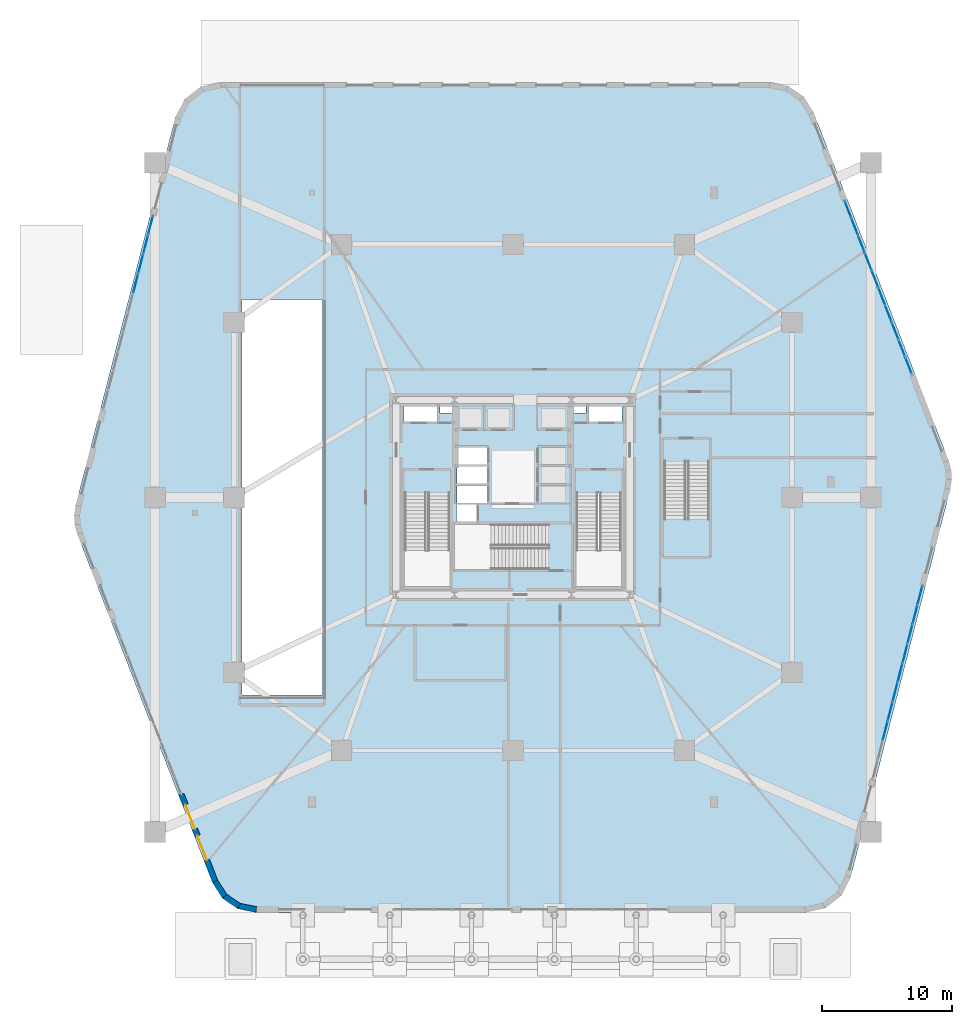
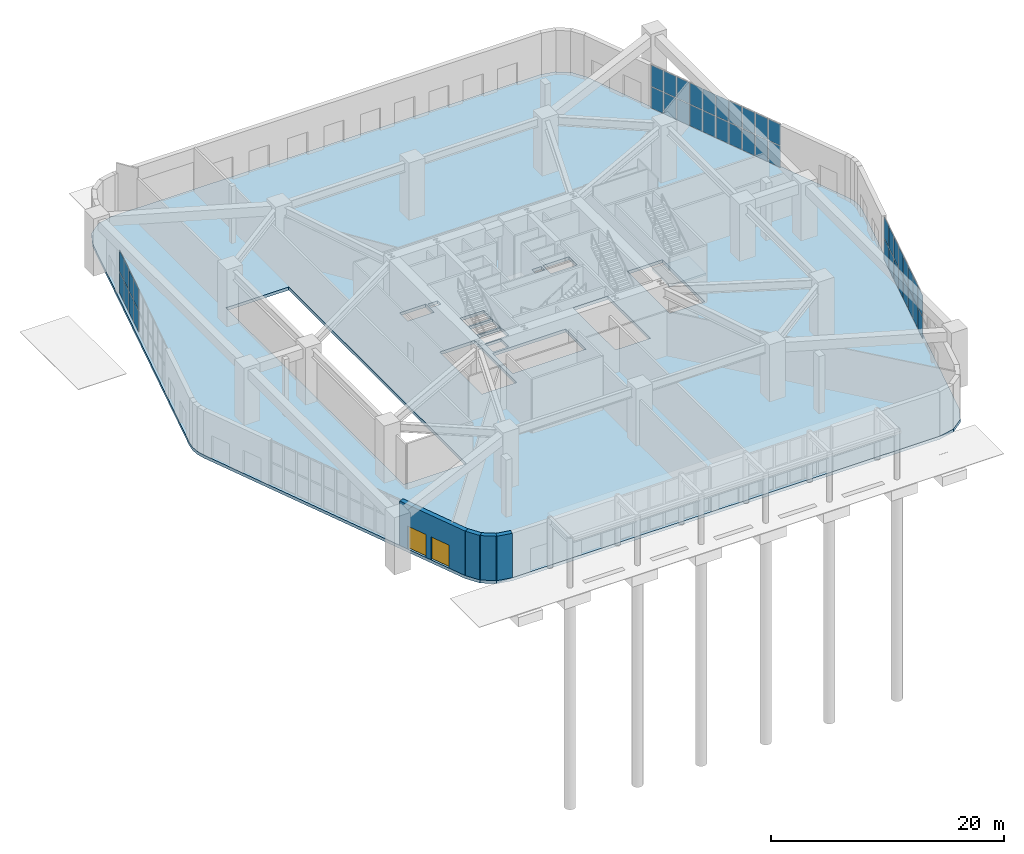
# One storey, part 23 of 35: 44 plates, 4 walls, 2 doors, 2 slabs, 2 openings, 4 elements without a shape of their own.
"""IFC4 building model written with IfcOpenShell, lengths in metres."""

import ifcopenshell
import ifcopenshell.guid

model = None  # the IFC model being written
_history = None  # IfcOwnerHistory: only IFC2X3 demands one
_inside = {}  # id of a spatial element -> (the spatial element, [elements in it])
_under = {}  # id of a project, library or spatial element -> (it, [spatial elements below it])
_declared = {}  # id of a project -> (the project, [libraries it declares])
_typed = {}  # id of a type object -> (the type object, [elements of that type])
_made_of = {}  # id of a material, layer set ... -> (it, [elements and type objects made of it])


def new_model(schema):
    """Start an empty IFC model of exactly this schema.

    Asked for "IFC4X3", IfcOpenShell would pick the latest addendum, in which some entities
    have other attributes; the version numbers below select the first issue.
    IFC2X3 requires an IfcOwnerHistory on every rooted entity: one is made here for all.
    """
    global model, _history
    if schema == "IFC4X3":
        model = ifcopenshell.file(schema_version=(4, 3, 0, 0))
    else:
        model = ifcopenshell.file(schema=schema)
    _inside.clear()
    _under.clear()
    _declared.clear()
    _typed.clear()
    _made_of.clear()
    _history = None
    if model.schema == "IFC2X3":
        org = make("IfcOrganization", Name="unknown")
        user = make(
            "IfcPersonAndOrganization",
            ThePerson=make("IfcPerson", FamilyName="unknown"),
            TheOrganization=org,
        )
        app = make(
            "IfcApplication",
            ApplicationDeveloper=org,
            Version="unknown",
            ApplicationFullName="unknown",
            ApplicationIdentifier="unknown",
        )
        _history = make(
            "IfcOwnerHistory",
            OwningUser=user,
            OwningApplication=app,
            ChangeAction="ADDED",
            CreationDate=0,
        )
    return model


def make(cls, **values):
    """One entity of the class cls with the attributes given. An attribute that is None is left unset."""
    return model.create_entity(
        cls, **{name: value for name, value in values.items() if value is not None}
    )


def rooted(cls, **values):
    """An entity with a GlobalId (a new one), such as an element, a storey or a relation."""
    return make(cls, GlobalId=ifcopenshell.guid.new(), OwnerHistory=_history, **values)


def si_unit(unit_type, name, prefix=None):
    """IfcSIUnit, for example si_unit("LENGTHUNIT", "METRE", prefix="MILLI")."""
    return make("IfcSIUnit", UnitType=unit_type, Prefix=prefix, Name=name)


def assignment(units):
    """IfcUnitAssignment: the units of a project."""
    return None if units is None else make("IfcUnitAssignment", Units=units)


def point(xyz):
    """IfcCartesianPoint."""
    return None if xyz is None else make("IfcCartesianPoint", Coordinates=xyz)


def direction(xyz):
    """IfcDirection."""
    return None if xyz is None else make("IfcDirection", DirectionRatios=xyz)


def frame(location, z_axis=None, x_axis=None):
    """IfcAxis2Placement3D, a coordinate frame: its origin and axes. An axis left out is left unset."""
    return make(
        "IfcAxis2Placement3D",
        Location=point(location),
        Axis=direction(z_axis),
        RefDirection=direction(x_axis),
    )


def frame_2d(location, x_axis=None):
    """IfcAxis2Placement2D, a coordinate frame in the plane: its origin and x axis."""
    return make(
        "IfcAxis2Placement2D", Location=point(location), RefDirection=direction(x_axis)
    )


def origin():
    """The frame at (0, 0, 0) with its axes left unset."""
    return frame((0.0, 0.0, 0.0))


def origin_2d():
    """The frame at (0, 0) in the plane with its x axis left unset."""
    return frame_2d((0.0, 0.0))


def place(relative_to, where):
    """IfcLocalPlacement: puts the frame where relative to a parent placement (None: the world)."""
    return make(
        "IfcLocalPlacement", PlacementRelTo=relative_to, RelativePlacement=where
    )


def context(
    kind, dimensions, precision=None, world=None, true_north=None, identifier=None
):
    """IfcGeometricRepresentationContext, for example the 3D "Model" context."""
    return make(
        "IfcGeometricRepresentationContext",
        ContextIdentifier=identifier,
        ContextType=kind,
        CoordinateSpaceDimension=dimensions,
        Precision=precision,
        WorldCoordinateSystem=world,
        TrueNorth=true_north,
    )


def subcontext(parent, identifier, kind, view, scale=None):
    """IfcGeometricRepresentationSubContext, for example "Body" below "Model"."""
    return make(
        "IfcGeometricRepresentationSubContext",
        ContextIdentifier=identifier,
        ContextType=kind,
        ParentContext=parent,
        TargetScale=scale,
        TargetView=view,
    )


def project(units=None, contexts=None):
    """IfcProject with its units and contexts."""
    return rooted(
        "IfcProject",
        Name="project",
        RepresentationContexts=contexts,
        UnitsInContext=assignment(units),
    )


def spatial(cls, under=None, at=None, **own):
    """A site, building, storey or space (cls), placed at a placement, below another one or the project."""
    s = rooted(cls, ObjectPlacement=at, **own)
    if under is not None:
        _under.setdefault(under.id(), (under, []))[1].append(s)
    return s


def polyline(points):
    """IfcPolyline through the points."""
    return make("IfcPolyline", Points=[point(p) for p in points])


def profile(cls, at=None, kind="AREA", **sizes):
    """A parametric profile (cls). Its sizes go by their IFC names, for example OverallWidth=200.0."""
    return make(cls, ProfileType=kind, Position=at, **sizes)


def rectangle(**sizes):
    """IfcRectangleProfileDef."""
    return profile("IfcRectangleProfileDef", **sizes)


def outline(outer, holes=None, kind="AREA"):
    """IfcArbitraryClosedProfileDef: a profile drawn as a closed curve; with holes, ...WithVoids."""
    if holes is None:
        return make("IfcArbitraryClosedProfileDef", ProfileType=kind, OuterCurve=outer)
    return make(
        "IfcArbitraryProfileDefWithVoids",
        ProfileType=kind,
        OuterCurve=outer,
        InnerCurves=holes,
    )


def extrude(swept, where, along, depth):
    """IfcExtrudedAreaSolid: the profile swept, set in the frame where, extruded along a direction by depth."""
    return make(
        "IfcExtrudedAreaSolid",
        SweptArea=swept,
        Position=where,
        ExtrudedDirection=direction(along),
        Depth=depth,
    )


def shape(context_of_items, identifier, shape_type, items):
    """IfcShapeRepresentation: the items that make up one representation, for example the "Body"."""
    return make(
        "IfcShapeRepresentation",
        ContextOfItems=context_of_items,
        RepresentationIdentifier=identifier,
        RepresentationType=shape_type,
        Items=items,
    )


def material(Name=None, Category=None):
    """IfcMaterial."""
    return make("IfcMaterial", Name=Name, Category=Category)


def layer(
    of_material, thickness, ventilated=None, Name=None, Category=None, Priority=None
):
    """IfcMaterialLayer: one layer of a wall or slab, of a material (None: an air gap)."""
    return make(
        "IfcMaterialLayer",
        Material=of_material,
        LayerThickness=thickness,
        IsVentilated=ventilated,
        Name=Name,
        Category=Category,
        Priority=Priority,
    )


def layer_set(layers, Name=None):
    """IfcMaterialLayerSet."""
    return make("IfcMaterialLayerSet", MaterialLayers=layers, LayerSetName=Name)


def made_of(thing, what):
    """Note that an element or type object is made of a material, layer set ...; save() writes the relation."""
    if what is not None:
        _made_of.setdefault(what.id(), (what, []))[1].append(thing)
    return thing


def type_object(cls, material=None, **own):
    """A type object (cls), such as IfcWallType, which elements share."""
    return made_of(rooted(cls, **own), material)


def element(
    cls,
    number,
    at=None,
    inside=None,
    cuts=None,
    type_object=None,
    material=None,
    context=None,
    identifier="Body",
    shape_type=None,
    held_by="IfcProductDefinitionShape",
    body=None,
    shapes=None,
    **own,
):
    """One element of the class cls, such as IfcWall. Its Tag is "e" and its number.

    at: its placement. inside: the storey or other place that contains it. cuts: it is an
    opening in that element (IfcRelVoidsElement). A single representation is given by context,
    identifier, shape_type and body (its items); several are given by shapes. held_by: the class
    of the entity that holds the representations. save() writes the other relations.
    """
    e = rooted(cls, Tag="e%d" % number, ObjectPlacement=at, **own)
    if body is not None:
        shapes = [shape(context, identifier, shape_type, body)]
    if shapes is not None:
        e.Representation = make(held_by, Representations=shapes)
    if inside is not None:
        _inside.setdefault(inside.id(), (inside, []))[1].append(e)
    if cuts is not None:
        rooted(
            "IfcRelVoidsElement", RelatingBuildingElement=cuts, RelatedOpeningElement=e
        )
    if type_object is not None:
        _typed.setdefault(type_object.id(), (type_object, []))[1].append(e)
    return made_of(e, material)


def fill(opening, filler):
    """IfcRelFillsElement: the door or window that sits in an opening."""
    return rooted(
        "IfcRelFillsElement",
        RelatingOpeningElement=opening,
        RelatedBuildingElement=filler,
    )


def aggregate(whole, parts):
    """IfcRelAggregates: a whole, such as a stair, and the parts it consists of."""
    return rooted("IfcRelAggregates", RelatingObject=whole, RelatedObjects=parts)


def save(model, path):
    """Write the relations noted so far, then the file.

    IfcRelAggregates (storeys below a building ...), IfcRelContainedInSpatialStructure (elements
    in a storey), IfcRelDefinesByType, IfcRelAssociatesMaterial and IfcRelDeclares: one each for
    every whole, place, type object, material and project.
    """
    for whole, parts in _under.values():
        aggregate(whole, parts)
    for where, things in _inside.values():
        rooted(
            "IfcRelContainedInSpatialStructure",
            RelatedElements=things,
            RelatingStructure=where,
        )
    for kind, things in _typed.values():
        rooted("IfcRelDefinesByType", RelatedObjects=things, RelatingType=kind)
    for what, things in _made_of.values():
        rooted("IfcRelAssociatesMaterial", RelatedObjects=things, RelatingMaterial=what)
    for by, libraries in _declared.values():
        rooted("IfcRelDeclares", RelatingContext=by, RelatedDefinitions=libraries)
    model.write(path)


model = new_model("IFC4")

# Units and contexts
model_context = context("Model", 3, precision=1e-05, world=origin(), true_north=direction((0.0, 1.0)))
body_context = subcontext(model_context, "Body", "Model", "MODEL_VIEW")
ifc_project = project(units=[si_unit("LENGTHUNIT", "METRE"), si_unit("AREAUNIT", "SQUARE_METRE"), si_unit("VOLUMEUNIT", "CUBIC_METRE"), si_unit("PLANEANGLEUNIT", "RADIAN"), si_unit("MASSUNIT", "GRAM", prefix="KILO")], contexts=[model_context])

# Site, building, storey
site_placement = place(None, origin())
site = spatial("IfcSite", under=ifc_project, at=site_placement, CompositionType="ELEMENT")
building_placement = place(site_placement, origin())
building = spatial("IfcBuilding", under=site, at=building_placement, Name="Kilnhurst Terrace Hotel", CompositionType="ELEMENT")
storey_placement = place(building_placement, origin())
storey = spatial("IfcBuildingStorey", under=building, at=storey_placement, Name="L00", CompositionType="ELEMENT", Elevation=0.0)

# Curtain wall, plates
ifc_material_1 = material(Name="Anodized Aluminium Alloy 6063-T6 and Low-E Glass", Category="aluminium")
ifc_layer_1 = layer(ifc_material_1, 0.219970703125, Name="Anodized Aluminium Alloy 6063-T6 and Low-E Glass")
ifc_layer_set_1 = layer_set([ifc_layer_1], Name="Anodized Aluminium Alloy 6063-T6 and Low-E Glass")
curtain_wall_type = type_object("IfcCurtainWallType", Name="CW-POD-LOBBY", PredefinedType="NOTDEFINED", material=ifc_layer_set_1)
curtain_wall_1_placement = place(storey_placement, origin())
curtain_wall_1 = element("IfcCurtainWall", 1, at=curtain_wall_1_placement, inside=storey, type_object=curtain_wall_type, Name="L00 Curtain Wall CW-L00-F2-1", PredefinedType="NOTDEFINED")
ifc_material_2 = material(Name="Triple Laminated Low-E Hurricane Insulated Glass", Category="glass")
ifc_layer_2 = layer(ifc_material_2, 0.035888671875, Name="Triple Laminated Low-E Hurricane Insulated Glass")
ifc_layer_set_2 = layer_set([ifc_layer_2], Name="Triple Laminated Low-E Hurricane Insulated Glass")
plate_type = type_object("IfcPlateType", Name="PNL-GLZ-36", PredefinedType="CURTAIN_PANEL", material=ifc_layer_set_2)
plate_1_placement = place(storey_placement, frame((28.692626953125, -18.002685546875, 0.074951171875), z_axis=(0.0, 0.0, 1.0), x_axis=(0.248739610933, 0.968570392874, 0.0)))
plate_1 = element("IfcPlate", 2, at=plate_1_placement, type_object=plate_type, Name="CWL-1 panel 3.1", PredefinedType="CURTAIN_PANEL", context=body_context, shape_type="SweptSolid", body=[
    extrude(rectangle(XDim=1.468505859375, YDim=0.035888671875, at=origin_2d()), origin(), (0.0, 0.0, 1.0), 2.21240234375),
])
plate_2_placement = place(storey_placement, frame((28.692626953125, -18.002685546875, 2.362548828125), z_axis=(0.0, 0.0, 1.0), x_axis=(0.248739610933, 0.968570392874, 0.0)))
plate_2 = element("IfcPlate", 3, at=plate_2_placement, type_object=plate_type, Name="CWL-1 panel 3.2", PredefinedType="CURTAIN_PANEL", context=body_context, shape_type="SweptSolid", body=[
    extrude(rectangle(XDim=1.468505859375, YDim=0.035888671875, at=origin_2d()), origin(), (0.0, 0.0, 1.0), 2.21240234375),
])
plate_3_placement = place(storey_placement, frame((29.076416015625, -16.507568359375, 0.074951171875), z_axis=(0.0, 0.0, 1.0), x_axis=(0.248739610933, 0.968570392874, 0.0)))
plate_3 = element("IfcPlate", 4, at=plate_3_placement, type_object=plate_type, Name="CWL-1 panel 4.1", PredefinedType="CURTAIN_PANEL", context=body_context, shape_type="SweptSolid", body=[
    extrude(rectangle(XDim=1.468505859375, YDim=0.035888671875, at=origin_2d()), origin(), (0.0, 0.0, 1.0), 2.21240234375),
])
plate_4_placement = place(storey_placement, frame((29.076416015625, -16.507568359375, 2.362548828125), z_axis=(0.0, 0.0, 1.0), x_axis=(0.248739610933, 0.968570392874, 0.0)))
plate_4 = element("IfcPlate", 5, at=plate_4_placement, type_object=plate_type, Name="CWL-1 panel 4.2", PredefinedType="CURTAIN_PANEL", context=body_context, shape_type="SweptSolid", body=[
    extrude(rectangle(XDim=1.468505859375, YDim=0.035888671875, at=origin_2d()), origin(), (0.0, 0.0, 1.0), 2.21240234375),
])
plate_5_placement = place(storey_placement, frame((29.46044921875, -15.0126953125, 0.074951171875), z_axis=(0.0, 0.0, 1.0), x_axis=(0.248739610933, 0.968570392874, 0.0)))
plate_5 = element("IfcPlate", 6, at=plate_5_placement, type_object=plate_type, Name="CWL-1 panel 5.1", PredefinedType="CURTAIN_PANEL", context=body_context, shape_type="SweptSolid", body=[
    extrude(rectangle(XDim=1.468505859375, YDim=0.035888671875, at=origin_2d()), origin(), (0.0, 0.0, 1.0), 2.21240234375),
])
plate_6_placement = place(storey_placement, frame((29.46044921875, -15.0126953125, 2.362548828125), z_axis=(0.0, 0.0, 1.0), x_axis=(0.248739610933, 0.968570392874, 0.0)))
plate_6 = element("IfcPlate", 7, at=plate_6_placement, type_object=plate_type, Name="CWL-1 panel 5.2", PredefinedType="CURTAIN_PANEL", context=body_context, shape_type="SweptSolid", body=[
    extrude(rectangle(XDim=1.468505859375, YDim=0.035888671875, at=origin_2d()), origin(), (0.0, 0.0, 1.0), 2.21240234375),
])
plate_7_placement = place(storey_placement, frame((29.84423828125, -13.517578125, 0.074951171875), z_axis=(0.0, 0.0, 1.0), x_axis=(0.248739610933, 0.968570392874, 0.0)))
plate_7 = element("IfcPlate", 8, at=plate_7_placement, type_object=plate_type, Name="CWL-1 panel 6.1", PredefinedType="CURTAIN_PANEL", context=body_context, shape_type="SweptSolid", body=[
    extrude(rectangle(XDim=1.468505859375, YDim=0.035888671875, at=origin_2d()), origin(), (0.0, 0.0, 1.0), 2.21240234375),
])
plate_8_placement = place(storey_placement, frame((29.84423828125, -13.517578125, 2.362548828125), z_axis=(0.0, 0.0, 1.0), x_axis=(0.248739610933, 0.968570392874, 0.0)))
plate_8 = element("IfcPlate", 9, at=plate_8_placement, type_object=plate_type, Name="CWL-1 panel 6.2", PredefinedType="CURTAIN_PANEL", context=body_context, shape_type="SweptSolid", body=[
    extrude(rectangle(XDim=1.468505859375, YDim=0.035888671875, at=origin_2d()), origin(), (0.0, 0.0, 1.0), 2.21240234375),
])
plate_9_placement = place(storey_placement, frame((30.228271484375, -12.022705078125, 0.074951171875), z_axis=(0.0, 0.0, 1.0), x_axis=(0.248739610933, 0.968570392874, 0.0)))
plate_9 = element("IfcPlate", 10, at=plate_9_placement, type_object=plate_type, Name="CWL-1 panel 7.1", PredefinedType="CURTAIN_PANEL", context=body_context, shape_type="SweptSolid", body=[
    extrude(rectangle(XDim=1.468505859375, YDim=0.035888671875, at=origin_2d()), origin(), (0.0, 0.0, 1.0), 2.21240234375),
])
plate_10_placement = place(storey_placement, frame((30.228271484375, -12.022705078125, 2.362548828125), z_axis=(0.0, 0.0, 1.0), x_axis=(0.248739610933, 0.968570392874, 0.0)))
plate_10 = element("IfcPlate", 11, at=plate_10_placement, type_object=plate_type, Name="CWL-1 panel 7.2", PredefinedType="CURTAIN_PANEL", context=body_context, shape_type="SweptSolid", body=[
    extrude(rectangle(XDim=1.468505859375, YDim=0.035888671875, at=origin_2d()), origin(), (0.0, 0.0, 1.0), 2.21240234375),
])
plate_11_placement = place(storey_placement, frame((30.612060546875, -10.527587890625, 0.074951171875), z_axis=(0.0, 0.0, 1.0), x_axis=(0.248739610933, 0.968570392874, 0.0)))
plate_11 = element("IfcPlate", 12, at=plate_11_placement, type_object=plate_type, Name="CWL-1 panel 8.1", PredefinedType="CURTAIN_PANEL", context=body_context, shape_type="SweptSolid", body=[
    extrude(rectangle(XDim=1.468505859375, YDim=0.035888671875, at=origin_2d()), origin(), (0.0, 0.0, 1.0), 2.21240234375),
])
plate_12_placement = place(storey_placement, frame((30.612060546875, -10.527587890625, 2.362548828125), z_axis=(0.0, 0.0, 1.0), x_axis=(0.248739610933, 0.968570392874, 0.0)))
plate_12 = element("IfcPlate", 13, at=plate_12_placement, type_object=plate_type, Name="CWL-1 panel 8.2", PredefinedType="CURTAIN_PANEL", context=body_context, shape_type="SweptSolid", body=[
    extrude(rectangle(XDim=1.468505859375, YDim=0.035888671875, at=origin_2d()), origin(), (0.0, 0.0, 1.0), 2.21240234375),
])
plate_13_placement = place(storey_placement, frame((30.99609375, -9.03271484375, 0.074951171875), z_axis=(0.0, 0.0, 1.0), x_axis=(0.248739610933, 0.968570392874, 0.0)))
plate_13 = element("IfcPlate", 14, at=plate_13_placement, type_object=plate_type, Name="CWL-1 panel 9.1", PredefinedType="CURTAIN_PANEL", context=body_context, shape_type="SweptSolid", body=[
    extrude(rectangle(XDim=1.468505859375, YDim=0.035888671875, at=origin_2d()), origin(), (0.0, 0.0, 1.0), 2.21240234375),
])
plate_14_placement = place(storey_placement, frame((30.99609375, -9.03271484375, 2.362548828125), z_axis=(0.0, 0.0, 1.0), x_axis=(0.248739610933, 0.968570392874, 0.0)))
plate_14 = element("IfcPlate", 15, at=plate_14_placement, type_object=plate_type, Name="CWL-1 panel 9.2", PredefinedType="CURTAIN_PANEL", context=body_context, shape_type="SweptSolid", body=[
    extrude(rectangle(XDim=1.468505859375, YDim=0.035888671875, at=origin_2d()), origin(), (0.0, 0.0, 1.0), 2.21240234375),
])
plate_15_placement = place(storey_placement, frame((31.37548828125, -7.555908203125, 0.074951171875), z_axis=(0.0, 0.0, 1.0), x_axis=(0.248739610933, 0.968570392874, 0.0)))
plate_15 = element("IfcPlate", 16, at=plate_15_placement, type_object=plate_type, Name="CWL-1 panel 10.1", PredefinedType="CURTAIN_PANEL", context=body_context, shape_type="SweptSolid", body=[
    extrude(rectangle(XDim=1.430908203125, YDim=0.035888671875, at=origin_2d()), origin(), (0.0, 0.0, 1.0), 2.21240234375),
])
plate_16_placement = place(storey_placement, frame((31.37548828125, -7.555908203125, 2.362548828125), z_axis=(0.0, 0.0, 1.0), x_axis=(0.248739610933, 0.968570392874, 0.0)))
plate_16 = element("IfcPlate", 17, at=plate_16_placement, type_object=plate_type, Name="CWL-1 panel 10.2", PredefinedType="CURTAIN_PANEL", context=body_context, shape_type="SweptSolid", body=[
    extrude(rectangle(XDim=1.430908203125, YDim=0.035888671875, at=origin_2d()), origin(), (0.0, 0.0, 1.0), 2.21240234375),
])
aggregate(curtain_wall_1, [plate_1, plate_2, plate_3, plate_4, plate_5, plate_6, plate_7, plate_8, plate_9, plate_10, plate_11, plate_12, plate_13, plate_14, plate_15, plate_16])

curtain_wall_2_placement = place(storey_placement, origin())
curtain_wall_2 = element("IfcCurtainWall", 18, at=curtain_wall_2_placement, inside=storey, type_object=curtain_wall_type, Name="L00 Curtain Wall CW-L00-F3-1", PredefinedType="NOTDEFINED")
plate_17_placement = place(storey_placement, frame((30.4990234375, 10.16357421875, 0.074951171875), z_axis=(0.0, 0.0, 1.0), x_axis=(-0.361638931731, 0.932318230572, 0.0)))
plate_17 = element("IfcPlate", 19, at=plate_17_placement, type_object=plate_type, Name="CWL-1 panel 1.1", PredefinedType="CURTAIN_PANEL", context=body_context, shape_type="SweptSolid", body=[
    extrude(rectangle(XDim=1.326416015625, YDim=0.035888671875, at=origin_2d()), origin(), (0.0, 0.0, 1.0), 2.21240234375),
])
plate_18_placement = place(storey_placement, frame((30.4990234375, 10.16357421875, 2.362548828125), z_axis=(0.0, 0.0, 1.0), x_axis=(-0.361638931731, 0.932318230572, 0.0)))
plate_18 = element("IfcPlate", 20, at=plate_18_placement, type_object=plate_type, Name="CWL-1 panel 1.2", PredefinedType="CURTAIN_PANEL", context=body_context, shape_type="SweptSolid", body=[
    extrude(rectangle(XDim=1.326416015625, YDim=0.035888671875, at=origin_2d()), origin(), (0.0, 0.0, 1.0), 2.21240234375),
])
plate_19_placement = place(storey_placement, frame((29.9853515625, 11.487548828125, 0.074951171875), z_axis=(0.0, 0.0, 1.0), x_axis=(-0.361638931731, 0.932318230572, 0.0)))
plate_19 = element("IfcPlate", 21, at=plate_19_placement, type_object=plate_type, Name="CWL-1 panel 2.1", PredefinedType="CURTAIN_PANEL", context=body_context, shape_type="SweptSolid", body=[
    extrude(rectangle(XDim=1.364013671875, YDim=0.035888671875, at=origin_2d()), origin(), (0.0, 0.0, 1.0), 2.21240234375),
])
plate_20_placement = place(storey_placement, frame((29.9853515625, 11.487548828125, 2.362548828125), z_axis=(0.0, 0.0, 1.0), x_axis=(-0.361638931731, 0.932318230572, 0.0)))
plate_20 = element("IfcPlate", 22, at=plate_20_placement, type_object=plate_type, Name="CWL-1 panel 2.2", PredefinedType="CURTAIN_PANEL", context=body_context, shape_type="SweptSolid", body=[
    extrude(rectangle(XDim=1.364013671875, YDim=0.035888671875, at=origin_2d()), origin(), (0.0, 0.0, 1.0), 2.21240234375),
])
plate_21_placement = place(storey_placement, frame((29.46484375, 12.829345703125, 0.074951171875), z_axis=(0.0, 0.0, 1.0), x_axis=(-0.361638931731, 0.932318230572, 0.0)))
plate_21 = element("IfcPlate", 23, at=plate_21_placement, type_object=plate_type, Name="CWL-1 panel 3.1", PredefinedType="CURTAIN_PANEL", context=body_context, shape_type="SweptSolid", body=[
    extrude(rectangle(XDim=1.364013671875, YDim=0.035888671875, at=origin_2d()), origin(), (0.0, 0.0, 1.0), 2.21240234375),
])
plate_22_placement = place(storey_placement, frame((29.46484375, 12.829345703125, 2.362548828125), z_axis=(0.0, 0.0, 1.0), x_axis=(-0.361638931731, 0.932318230572, 0.0)))
plate_22 = element("IfcPlate", 24, at=plate_22_placement, type_object=plate_type, Name="CWL-1 panel 3.2", PredefinedType="CURTAIN_PANEL", context=body_context, shape_type="SweptSolid", body=[
    extrude(rectangle(XDim=1.364013671875, YDim=0.035888671875, at=origin_2d()), origin(), (0.0, 0.0, 1.0), 2.21240234375),
])
plate_23_placement = place(storey_placement, frame((28.944580078125, 14.1708984375, 0.074951171875), z_axis=(0.0, 0.0, 1.0), x_axis=(-0.361638931731, 0.932318230572, 0.0)))
plate_23 = element("IfcPlate", 25, at=plate_23_placement, type_object=plate_type, Name="CWL-1 panel 4.1", PredefinedType="CURTAIN_PANEL", context=body_context, shape_type="SweptSolid", body=[
    extrude(rectangle(XDim=1.364013671875, YDim=0.035888671875, at=origin_2d()), origin(), (0.0, 0.0, 1.0), 2.21240234375),
])
plate_24_placement = place(storey_placement, frame((28.944580078125, 14.1708984375, 2.362548828125), z_axis=(0.0, 0.0, 1.0), x_axis=(-0.361638931731, 0.932318230572, 0.0)))
plate_24 = element("IfcPlate", 26, at=plate_24_placement, type_object=plate_type, Name="CWL-1 panel 4.2", PredefinedType="CURTAIN_PANEL", context=body_context, shape_type="SweptSolid", body=[
    extrude(rectangle(XDim=1.364013671875, YDim=0.035888671875, at=origin_2d()), origin(), (0.0, 0.0, 1.0), 2.21240234375),
])
plate_25_placement = place(storey_placement, frame((28.424072265625, 15.512451171875, 0.074951171875), z_axis=(0.0, 0.0, 1.0), x_axis=(-0.361638931731, 0.932318230572, 0.0)))
plate_25 = element("IfcPlate", 27, at=plate_25_placement, type_object=plate_type, Name="CWL-1 panel 5.1", PredefinedType="CURTAIN_PANEL", context=body_context, shape_type="SweptSolid", body=[
    extrude(rectangle(XDim=1.364013671875, YDim=0.035888671875, at=origin_2d()), origin(), (0.0, 0.0, 1.0), 2.21240234375),
])
plate_26_placement = place(storey_placement, frame((28.424072265625, 15.512451171875, 2.362548828125), z_axis=(0.0, 0.0, 1.0), x_axis=(-0.361638931731, 0.932318230572, 0.0)))
plate_26 = element("IfcPlate", 28, at=plate_26_placement, type_object=plate_type, Name="CWL-1 panel 5.2", PredefinedType="CURTAIN_PANEL", context=body_context, shape_type="SweptSolid", body=[
    extrude(rectangle(XDim=1.364013671875, YDim=0.035888671875, at=origin_2d()), origin(), (0.0, 0.0, 1.0), 2.21240234375),
])
plate_27_placement = place(storey_placement, frame((27.90380859375, 16.85400390625, 0.074951171875), z_axis=(0.0, 0.0, 1.0), x_axis=(-0.361638931731, 0.932318230572, 0.0)))
plate_27 = element("IfcPlate", 29, at=plate_27_placement, type_object=plate_type, Name="CWL-1 panel 6.1", PredefinedType="CURTAIN_PANEL", context=body_context, shape_type="SweptSolid", body=[
    extrude(rectangle(XDim=1.364013671875, YDim=0.035888671875, at=origin_2d()), origin(), (0.0, 0.0, 1.0), 2.21240234375),
])
plate_28_placement = place(storey_placement, frame((27.90380859375, 16.85400390625, 2.362548828125), z_axis=(0.0, 0.0, 1.0), x_axis=(-0.361638931731, 0.932318230572, 0.0)))
plate_28 = element("IfcPlate", 30, at=plate_28_placement, type_object=plate_type, Name="CWL-1 panel 6.2", PredefinedType="CURTAIN_PANEL", context=body_context, shape_type="SweptSolid", body=[
    extrude(rectangle(XDim=1.364013671875, YDim=0.035888671875, at=origin_2d()), origin(), (0.0, 0.0, 1.0), 2.21240234375),
])
plate_29_placement = place(storey_placement, frame((27.38330078125, 18.195556640625, 0.074951171875), z_axis=(0.0, 0.0, 1.0), x_axis=(-0.361638931731, 0.932318230572, 0.0)))
plate_29 = element("IfcPlate", 31, at=plate_29_placement, type_object=plate_type, Name="CWL-1 panel 7.1", PredefinedType="CURTAIN_PANEL", context=body_context, shape_type="SweptSolid", body=[
    extrude(rectangle(XDim=1.364013671875, YDim=0.035888671875, at=origin_2d()), origin(), (0.0, 0.0, 1.0), 2.21240234375),
])
plate_30_placement = place(storey_placement, frame((27.38330078125, 18.195556640625, 2.362548828125), z_axis=(0.0, 0.0, 1.0), x_axis=(-0.361638931731, 0.932318230572, 0.0)))
plate_30 = element("IfcPlate", 32, at=plate_30_placement, type_object=plate_type, Name="CWL-1 panel 7.2", PredefinedType="CURTAIN_PANEL", context=body_context, shape_type="SweptSolid", body=[
    extrude(rectangle(XDim=1.364013671875, YDim=0.035888671875, at=origin_2d()), origin(), (0.0, 0.0, 1.0), 2.21240234375),
])
plate_31_placement = place(storey_placement, frame((26.86279296875, 19.537353515625, 0.074951171875), z_axis=(0.0, 0.0, 1.0), x_axis=(-0.361638931731, 0.932318230572, 0.0)))
plate_31 = element("IfcPlate", 33, at=plate_31_placement, type_object=plate_type, Name="CWL-1 panel 8.1", PredefinedType="CURTAIN_PANEL", context=body_context, shape_type="SweptSolid", body=[
    extrude(rectangle(XDim=1.364013671875, YDim=0.035888671875, at=origin_2d()), origin(), (0.0, 0.0, 1.0), 2.21240234375),
])
plate_32_placement = place(storey_placement, frame((26.86279296875, 19.537353515625, 2.362548828125), z_axis=(0.0, 0.0, 1.0), x_axis=(-0.361638931731, 0.932318230572, 0.0)))
plate_32 = element("IfcPlate", 34, at=plate_32_placement, type_object=plate_type, Name="CWL-1 panel 8.2", PredefinedType="CURTAIN_PANEL", context=body_context, shape_type="SweptSolid", body=[
    extrude(rectangle(XDim=1.364013671875, YDim=0.035888671875, at=origin_2d()), origin(), (0.0, 0.0, 1.0), 2.21240234375),
])
plate_33_placement = place(storey_placement, frame((26.342529296875, 20.87890625, 0.074951171875), z_axis=(0.0, 0.0, 1.0), x_axis=(-0.361638931731, 0.932318230572, 0.0)))
plate_33 = element("IfcPlate", 35, at=plate_33_placement, type_object=plate_type, Name="CWL-1 panel 9.1", PredefinedType="CURTAIN_PANEL", context=body_context, shape_type="SweptSolid", body=[
    extrude(rectangle(XDim=1.364013671875, YDim=0.035888671875, at=origin_2d()), origin(), (0.0, 0.0, 1.0), 2.21240234375),
])
plate_34_placement = place(storey_placement, frame((26.342529296875, 20.87890625, 2.362548828125), z_axis=(0.0, 0.0, 1.0), x_axis=(-0.361638931731, 0.932318230572, 0.0)))
plate_34 = element("IfcPlate", 36, at=plate_34_placement, type_object=plate_type, Name="CWL-1 panel 9.2", PredefinedType="CURTAIN_PANEL", context=body_context, shape_type="SweptSolid", body=[
    extrude(rectangle(XDim=1.364013671875, YDim=0.035888671875, at=origin_2d()), origin(), (0.0, 0.0, 1.0), 2.21240234375),
])
plate_35_placement = place(storey_placement, frame((25.828857421875, 22.203125, 0.074951171875), z_axis=(0.0, 0.0, 1.0), x_axis=(-0.361638931731, 0.932318230572, 0.0)))
plate_35 = element("IfcPlate", 37, at=plate_35_placement, type_object=plate_type, Name="CWL-1 panel 10.1", PredefinedType="CURTAIN_PANEL", context=body_context, shape_type="SweptSolid", body=[
    extrude(rectangle(XDim=1.326416015625, YDim=0.035888671875, at=origin_2d()), origin(), (0.0, 0.0, 1.0), 2.21240234375),
])
plate_36_placement = place(storey_placement, frame((25.828857421875, 22.203125, 2.362548828125), z_axis=(0.0, 0.0, 1.0), x_axis=(-0.361638931731, 0.932318230572, 0.0)))
plate_36 = element("IfcPlate", 38, at=plate_36_placement, type_object=plate_type, Name="CWL-1 panel 10.2", PredefinedType="CURTAIN_PANEL", context=body_context, shape_type="SweptSolid", body=[
    extrude(rectangle(XDim=1.326416015625, YDim=0.035888671875, at=origin_2d()), origin(), (0.0, 0.0, 1.0), 2.21240234375),
])
aggregate(curtain_wall_2, [plate_17, plate_18, plate_19, plate_20, plate_21, plate_22, plate_23, plate_24, plate_25, plate_26, plate_27, plate_28, plate_29, plate_30, plate_31, plate_32, plate_33, plate_34, plate_35, plate_36])

curtain_wall_3_placement = place(storey_placement, origin())
curtain_wall_3 = element("IfcCurtainWall", 39, at=curtain_wall_3_placement, inside=storey, type_object=curtain_wall_type, Name="L00 Curtain Wall CW-L00-F5-1", PredefinedType="NOTDEFINED")
plate_37_placement = place(storey_placement, frame((-27.929443359375, 20.974365234375, 0.074951171875), z_axis=(0.0, 0.0, 1.0), x_axis=(-0.248739610933, -0.968570392874, 0.0)))
plate_37 = element("IfcPlate", 40, at=plate_37_placement, type_object=plate_type, Name="CWL-1 panel 1.1", PredefinedType="CURTAIN_PANEL", context=body_context, shape_type="SweptSolid", body=[
    extrude(rectangle(XDim=1.430908203125, YDim=0.035888671875, at=origin_2d()), origin(), (0.0, 0.0, 1.0), 2.21240234375),
])
plate_38_placement = place(storey_placement, frame((-27.929443359375, 20.974365234375, 2.362548828125), z_axis=(0.0, 0.0, 1.0), x_axis=(-0.248739610933, -0.968570392874, 0.0)))
plate_38 = element("IfcPlate", 41, at=plate_38_placement, type_object=plate_type, Name="CWL-1 panel 1.2", PredefinedType="CURTAIN_PANEL", context=body_context, shape_type="SweptSolid", body=[
    extrude(rectangle(XDim=1.430908203125, YDim=0.035888671875, at=origin_2d()), origin(), (0.0, 0.0, 1.0), 2.21240234375),
])
plate_39_placement = place(storey_placement, frame((-28.30859375, 19.49755859375, 0.074951171875), z_axis=(0.0, 0.0, 1.0), x_axis=(-0.248739610933, -0.968570392874, 0.0)))
plate_39 = element("IfcPlate", 42, at=plate_39_placement, type_object=plate_type, Name="CWL-1 panel 2.1", PredefinedType="CURTAIN_PANEL", context=body_context, shape_type="SweptSolid", body=[
    extrude(rectangle(XDim=1.468505859375, YDim=0.035888671875, at=origin_2d()), origin(), (0.0, 0.0, 1.0), 2.21240234375),
])
plate_40_placement = place(storey_placement, frame((-28.30859375, 19.49755859375, 2.362548828125), z_axis=(0.0, 0.0, 1.0), x_axis=(-0.248739610933, -0.968570392874, 0.0)))
plate_40 = element("IfcPlate", 43, at=plate_40_placement, type_object=plate_type, Name="CWL-1 panel 2.2", PredefinedType="CURTAIN_PANEL", context=body_context, shape_type="SweptSolid", body=[
    extrude(rectangle(XDim=1.468505859375, YDim=0.035888671875, at=origin_2d()), origin(), (0.0, 0.0, 1.0), 2.21240234375),
])
plate_41_placement = place(storey_placement, frame((-28.692626953125, 18.002685546875, 0.074951171875), z_axis=(0.0, 0.0, 1.0), x_axis=(-0.248739610933, -0.968570392874, 0.0)))
plate_41 = element("IfcPlate", 44, at=plate_41_placement, type_object=plate_type, Name="CWL-1 panel 3.1", PredefinedType="CURTAIN_PANEL", context=body_context, shape_type="SweptSolid", body=[
    extrude(rectangle(XDim=1.468505859375, YDim=0.035888671875, at=origin_2d()), origin(), (0.0, 0.0, 1.0), 2.21240234375),
])
plate_42_placement = place(storey_placement, frame((-28.692626953125, 18.002685546875, 2.362548828125), z_axis=(0.0, 0.0, 1.0), x_axis=(-0.248739610933, -0.968570392874, 0.0)))
plate_42 = element("IfcPlate", 45, at=plate_42_placement, type_object=plate_type, Name="CWL-1 panel 3.2", PredefinedType="CURTAIN_PANEL", context=body_context, shape_type="SweptSolid", body=[
    extrude(rectangle(XDim=1.468505859375, YDim=0.035888671875, at=origin_2d()), origin(), (0.0, 0.0, 1.0), 2.21240234375),
])
plate_43_placement = place(storey_placement, frame((-29.076416015625, 16.507568359375, 0.074951171875), z_axis=(0.0, 0.0, 1.0), x_axis=(-0.248739610933, -0.968570392874, 0.0)))
plate_43 = element("IfcPlate", 46, at=plate_43_placement, type_object=plate_type, Name="CWL-1 panel 4.1", PredefinedType="CURTAIN_PANEL", context=body_context, shape_type="SweptSolid", body=[
    extrude(rectangle(XDim=1.468505859375, YDim=0.035888671875, at=origin_2d()), origin(), (0.0, 0.0, 1.0), 2.21240234375),
])
plate_44_placement = place(storey_placement, frame((-29.076416015625, 16.507568359375, 2.362548828125), z_axis=(0.0, 0.0, 1.0), x_axis=(-0.248739610933, -0.968570392874, 0.0)))
plate_44 = element("IfcPlate", 47, at=plate_44_placement, type_object=plate_type, Name="CWL-1 panel 4.2", PredefinedType="CURTAIN_PANEL", context=body_context, shape_type="SweptSolid", body=[
    extrude(rectangle(XDim=1.468505859375, YDim=0.035888671875, at=origin_2d()), origin(), (0.0, 0.0, 1.0), 2.21240234375),
])
aggregate(curtain_wall_3, [plate_37, plate_38, plate_39, plate_40, plate_41, plate_42, plate_43, plate_44])

# Slab
ifc_material_3 = material(Name="Concrete C50/60", Category="concrete")
ifc_layer_3 = layer(ifc_material_3, 0.320068359375, Name="Concrete C50/60")
ifc_layer_set_3 = layer_set([ifc_layer_3], Name="Concrete C50/60")
slab_type_1 = type_object("IfcSlabType", Name="SLB-FLR-320", PredefinedType="FLOOR", material=ifc_layer_set_3)
slab_1_placement = place(storey_placement, frame((0.0, 0.0, -0.320068359375)))
element("IfcSlab", 48, at=slab_1_placement, inside=storey, type_object=slab_type_1, Name="L00 Structural Floor Slab", PredefinedType="FLOOR", context=body_context, shape_type="SweptSolid", body=[
    extrude(outline(polyline([(-23.161376953125, -29.701904296875), (-22.388916015625, -30.90673828125), (-21.207763671875, -31.715576171875), (-19.80517578125, -32.0), (22.53759765625, -32.0), (24.070556640625, -31.657470703125), (25.3115234375, -30.69482421875), (26.024658203125, -29.29541015625), (33.71240234375, 0.640380859375), (33.822021484375, 1.376708984375), (33.778076171875, 2.11962890625), (33.581787109375, 2.837646484375), (23.161376953125, 29.701904296875), (22.388916015625, 30.90673828125), (21.207763671875, 31.715576171875), (19.80517578125, 32.0), (-22.53759765625, 32.0), (-24.070556640625, 31.657470703125), (-25.3115234375, 30.69482421875), (-26.024658203125, 29.29541015625), (-33.71240234375, -0.640380859375), (-33.822021484375, -1.376708984375), (-33.778076171875, -2.11962890625), (-33.581787109375, -2.837646484375), (-23.161376953125, -29.701904296875)]), holes=[polyline([(-8.35009765625, 0.35498046875), (-4.8798828125, 0.35498046875), (-4.8798828125, -6.89990234375), (-8.35009765625, -6.89990234375), (-8.35009765625, 0.35498046875)]), polyline([(-4.35009765625, -1.89990234375), (-4.35009765625, -0.550048828125), (-2.800048828125, -0.550048828125), (-2.800048828125, -1.89990234375), (-4.35009765625, -1.89990234375)]), polyline([(-20.89990234375, -15.25), (-20.89990234375, 15.25), (-14.699951171875, 15.25), (-14.699951171875, -15.25), (-20.89990234375, -15.25)]), polyline([(-1.949951171875, -0.429931640625), (-4.300048828125, -0.429931640625), (-4.300048828125, 0.89990234375), (-1.949951171875, 0.89990234375), (-1.949951171875, -0.429931640625)]), polyline([(-4.300048828125, 1.050048828125), (-4.300048828125, 2.3798828125), (-1.949951171875, 2.3798828125), (-1.949951171875, 1.050048828125), (-4.300048828125, 1.050048828125)]), polyline([(-8.39990234375, 5.75), (-8.39990234375, 7.14990234375), (-5.800048828125, 7.14990234375), (-5.800048828125, 5.75), (-8.39990234375, 5.75)]), polyline([(-4.659912109375, 6.52001953125), (-5.6201171875, 6.52001953125), (-5.6201171875, 7.080078125), (-4.659912109375, 7.080078125), (-4.659912109375, 6.52001953125)]), polyline([(2.7548828125, -5.550048828125), (-4.5, -5.550048828125), (-4.5, -2.080078125), (2.7548828125, -2.080078125), (2.7548828125, -5.550048828125)]), polyline([(8.35009765625, 0.35498046875), (8.35009765625, -6.89990234375), (4.8798828125, -6.89990234375), (4.8798828125, 0.35498046875), (8.35009765625, 0.35498046875)]), polyline([(15.1201171875, 2.7548828125), (15.1201171875, -4.5), (11.64990234375, -4.5), (11.64990234375, 2.7548828125), (15.1201171875, 2.7548828125)]), polyline([(-4.300048828125, 2.530029296875), (-4.300048828125, 3.860107421875), (-1.949951171875, 3.860107421875), (-1.949951171875, 2.530029296875), (-4.300048828125, 2.530029296875)]), polyline([(5.800048828125, 5.75), (5.800048828125, 7.14990234375), (8.39990234375, 7.14990234375), (8.39990234375, 5.75), (5.800048828125, 5.75)]), polyline([(4.659912109375, 6.52001953125), (4.659912109375, 7.080078125), (5.6201171875, 7.080078125), (5.6201171875, 6.52001953125), (4.659912109375, 6.52001953125)])]), origin(), (0.0, 0.0, 1.0), 0.320068359375),
])

# Stair, slab
ifc_material_4 = material(Name="Concrete C40/50", Category="concrete")
stair_type = type_object("IfcStairType", Name="STR-POD-1660", PredefinedType="HALF_TURN_STAIR", material=ifc_material_4)
stair_placement = place(storey_placement, origin())
stair = element("IfcStair", 49, at=stair_placement, inside=storey, type_object=stair_type, Name="L00 ST-4", PredefinedType="HALF_TURN_STAIR")
ifc_layer_4 = layer(ifc_material_3, 0.199951171875, Name="Concrete C50/60")
ifc_layer_set_4 = layer_set([ifc_layer_4], Name="Concrete C50/60")
slab_type_2 = type_object("IfcSlabType", Name="SLB-ST-LND-200", PredefinedType="LANDING", material=ifc_layer_set_4)
slab_2_placement = place(storey_placement, frame((0.0, 0.0, 2.800048828125)))
slab_2 = element("IfcSlab", 50, at=slab_2_placement, type_object=slab_type_2, Name="ST-4 landing 1", PredefinedType="LANDING", context=body_context, shape_type="SweptSolid", body=[
    extrude(outline(polyline([(11.570068359375, -1.610107421875), (15.199951171875, -1.610107421875), (15.199951171875, -4.580078125), (11.570068359375, -4.580078125), (11.570068359375, -1.610107421875)])), origin(), (0.0, 0.0, 1.0), 0.199951171875),
])
aggregate(stair, [slab_2])

# Walls
ifc_material_5 = material(Name="Precast concrete C40/50", Category="concrete")
ifc_layer_5 = layer(ifc_material_5, 0.449951171875, Name="Precast concrete C40/50")
ifc_layer_set_5 = layer_set([ifc_layer_5], Name="Precast concrete C40/50")
wall_type = type_object("IfcWallType", Name="WL-BRK-450", PredefinedType="SOLIDWALL", material=ifc_layer_set_5)
wall_1_placement = place(storey_placement, frame((-22.959716796875, -29.599609375, 0.0), z_axis=(0.0, 0.0, 1.0), x_axis=(0.539770293074, -0.841812348873, 0.0)))
element("IfcWall", 51, at=wall_1_placement, inside=storey, type_object=wall_type, Name="L00 Rounded Corner Brick Wall C1.1", PredefinedType="SOLIDWALL", context=body_context, shape_type="SweptSolid", body=[
    extrude(rectangle(XDim=1.36279296875, YDim=0.449951171875, at=frame_2d((0.681396484375, 0.0))), origin(), (0.0, 0.0, 1.0), 4.64990234375),
])
wall_2_placement = place(storey_placement, frame((-22.22412109375, -30.746826171875, 0.0), z_axis=(0.0, 0.0, 1.0), x_axis=(0.825034601946, -0.565082211357, 0.0)))
element("IfcWall", 52, at=wall_2_placement, inside=storey, type_object=wall_type, Name="L00 Rounded Corner Brick Wall C1.2", PredefinedType="SOLIDWALL", context=body_context, shape_type="SweptSolid", body=[
    extrude(rectangle(XDim=1.340087890625, YDim=0.449951171875, at=frame_2d((0.669921875, 0.0))), origin(), (0.0, 0.0, 1.0), 4.64990234375),
])
wall_3_placement = place(storey_placement, frame((-21.118408203125, -31.504150390625, 0.0), z_axis=(0.0, 0.0, 1.0), x_axis=(0.980074574112, -0.198629879877, 0.0)))
element("IfcWall", 53, at=wall_3_placement, inside=storey, type_object=wall_type, Name="L00 Rounded Corner Brick Wall C1.3", PredefinedType="SOLIDWALL", context=body_context, shape_type="SweptSolid", body=[
    extrude(rectangle(XDim=1.363037109375, YDim=0.449951171875, at=frame_2d((0.681640625, 0.0))), origin(), (0.0, 0.0, 1.0), 4.64990234375),
])

# Wall, openings, doors
wall_4_placement = place(storey_placement, frame((-25.56201171875, -22.891357421875, 0.0), z_axis=(0.0, 0.0, 1.0), x_axis=(0.361665095845, -0.932308081295, 0.0)))
wall_4 = element("IfcWall", 54, at=wall_4_placement, inside=storey, type_object=wall_type, Name="L00 Face 6 End Brick Pier", PredefinedType="SOLIDWALL", context=body_context, shape_type="SweptSolid", body=[
    extrude(rectangle(XDim=7.1953125, YDim=0.449951171875, at=frame_2d((3.59765625, 0.0))), origin(), (0.0, 0.0, 1.0), 4.64990234375),
])
opening_1_placement = place(wall_4_placement, frame((0.87109375, 0.0, 0.0)))
opening_1 = element("IfcOpeningElement", 55, at=opening_1_placement, cuts=wall_4, Name="Opening ED-26", PredefinedType="OPENING", context=body_context, shape_type="SweptSolid", body=[
    extrude(rectangle(XDim=2.0, YDim=2.39990234375, at=frame_2d((1.0, 1.199951171875))), frame((0.0, 0.23486328125, 0.0), z_axis=(0.0, -1.0, 0.0), x_axis=(1.0, 0.0, 0.0)), (0.0, 0.0, 1.0), 0.469970703125),
])
opening_2_placement = place(wall_4_placement, frame((3.424072265625, 0.0, 0.0)))
opening_2 = element("IfcOpeningElement", 56, at=opening_2_placement, cuts=wall_4, Name="Opening ED-27", PredefinedType="OPENING", context=body_context, shape_type="SweptSolid", body=[
    extrude(rectangle(XDim=2.0, YDim=2.39990234375, at=frame_2d((1.0, 1.199951171875))), frame((0.0, 0.23486328125, 0.0), z_axis=(0.0, -1.0, 0.0), x_axis=(1.0, 0.0, 0.0)), (0.0, 0.0, 1.0), 0.469970703125),
])
ifc_material_6 = material(Name="Thermally Broken Bronze Aluminium Alloy 6063-T6 and Laminated Glass", Category="aluminium")
door_type = type_object("IfcDoorType", Name="DR-EXT-EXIT-2000", OperationType="NOTDEFINED", PredefinedType="DOOR", material=ifc_material_6)
door_1_placement = place(opening_1_placement, origin())
door_1 = element("IfcDoor", 57, at=door_1_placement, inside=storey, type_object=door_type, Name="L00 Street Exit Door ED-26", OperationType="DOUBLE_SWING_LEFT", OverallHeight=2.39990234375, OverallWidth=2.0, PredefinedType="DOOR", context=body_context, shape_type="SweptSolid", body=[
    extrude(rectangle(XDim=2.0, YDim=2.39990234375, at=frame_2d((1.0, 1.199951171875))), frame((0.0, 0.02490234375, 0.0), z_axis=(0.0, -1.0, 0.0), x_axis=(1.0, 0.0, 0.0)), (0.0, 0.0, 1.0), 0.050048828125),
])
fill(opening_1, door_1)
door_2_placement = place(opening_2_placement, origin())
door_2 = element("IfcDoor", 58, at=door_2_placement, inside=storey, type_object=door_type, Name="L00 Street Exit Door ED-27", OperationType="DOUBLE_SWING_LEFT", OverallHeight=2.39990234375, OverallWidth=2.0, PredefinedType="DOOR", context=body_context, shape_type="SweptSolid", body=[
    extrude(rectangle(XDim=2.0, YDim=2.39990234375, at=frame_2d((1.0, 1.199951171875))), frame((0.0, 0.02490234375, 0.0), z_axis=(0.0, -1.0, 0.0), x_axis=(1.0, 0.0, 0.0)), (0.0, 0.0, 1.0), 0.050048828125),
])
fill(opening_2, door_2)

save(model, "model.ifc")
